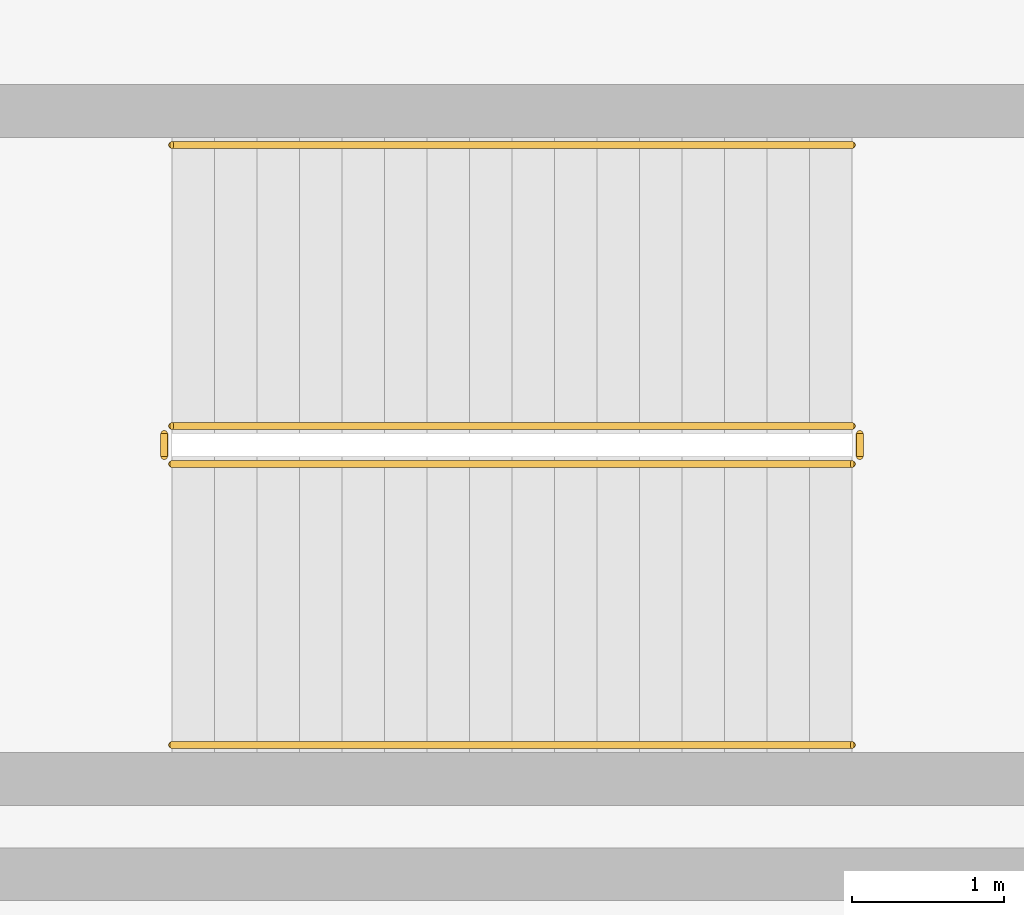
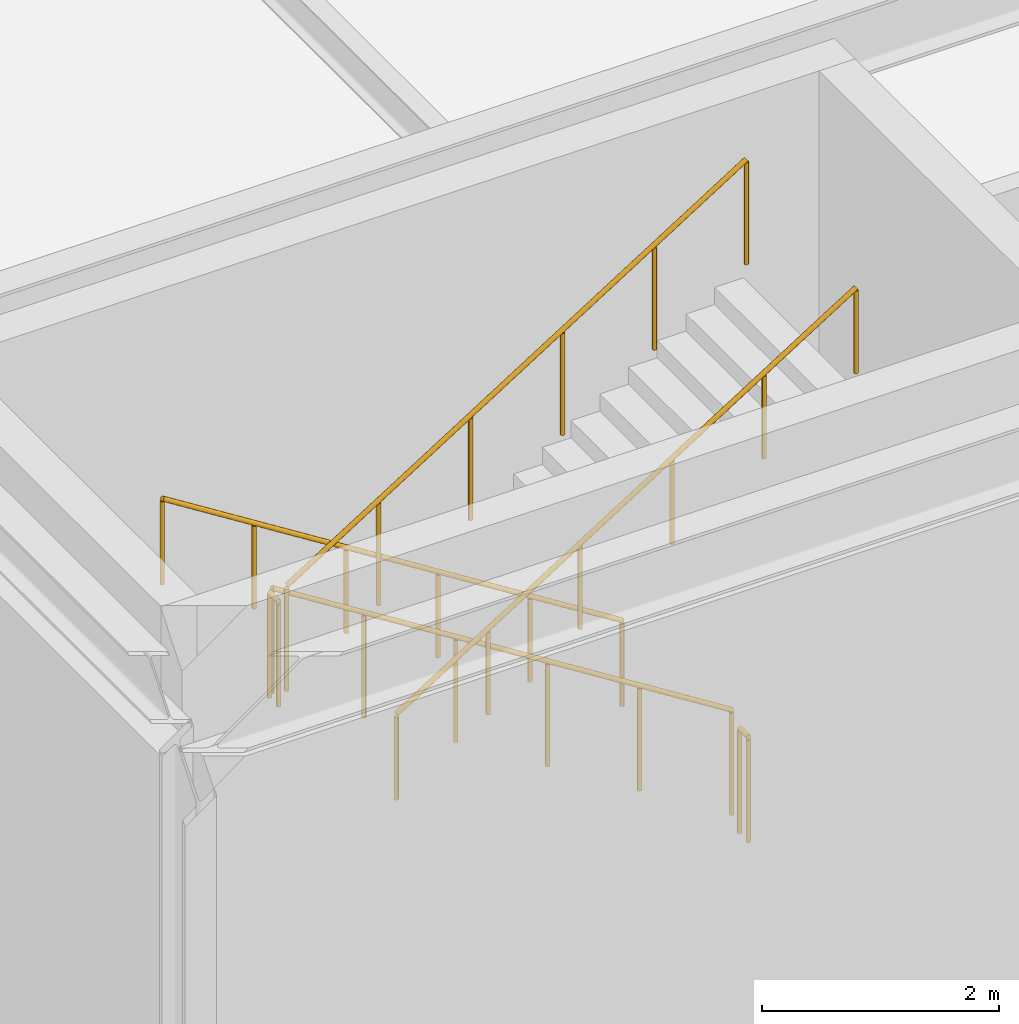
# One storey, part 134 of 146: 6 railings.
"""IFC4 building model written with IfcOpenShell, lengths in metres."""

from ifc_helpers import new_model, si_unit, direction, frame, origin, origin_2d, place, context, subcontext, project, spatial, circle, extrude, material, type_object, element, save


model = new_model("IFC4")

# Units and contexts
model_context = context("Model", 3, precision=1e-05, world=origin(), true_north=direction((0.0, 1.0)))
body_context = subcontext(model_context, "Body", "Model", "MODEL_VIEW")
ifc_project = project(units=[si_unit("LENGTHUNIT", "METRE"), si_unit("AREAUNIT", "SQUARE_METRE"), si_unit("VOLUMEUNIT", "CUBIC_METRE"), si_unit("PLANEANGLEUNIT", "RADIAN"), si_unit("MASSUNIT", "GRAM", prefix="KILO")], contexts=[model_context])

# Site, building, storey
site_placement = place(None, origin())
site = spatial("IfcSite", under=ifc_project, at=site_placement, CompositionType="ELEMENT")
building_placement = place(site_placement, origin())
building = spatial("IfcBuilding", under=site, at=building_placement, Name="Kaldris Quays Convention Centre", CompositionType="ELEMENT")
storey_placement = place(building_placement, origin())
storey = spatial("IfcBuildingStorey", under=building, at=storey_placement, Name="L00", CompositionType="ELEMENT", Elevation=0.0)

# Railings
ifc_material_1 = material(Name="Steel S355J2", Category="steel")
railing_type_1 = type_object("IfcRailingType", Name="INTERIOR GUARDRAIL GR01", PredefinedType="GUARDRAIL", material=ifc_material_1)
railing_1_placement = place(storey_placement, frame((27.0, 58.949951171875, 0.176513671875)))
element("IfcRailing", 1, at=railing_1_placement, inside=storey, type_object=railing_type_1, Name="L00 ST01 Stair Guardrail 1", PredefinedType="GUARDRAIL", context=body_context, shape_type="SweptSolid", body=[
    extrude(circle(Radius=0.02392578125, at=origin_2d()), frame((0.0, 0.0, 1.076171875), z_axis=(-0.845997938375, 0.0, 0.533186166611), x_axis=(0.0, -1.0, 0.0)), (0.0, 0.0, 1.0), 5.29541015625),
    extrude(circle(Radius=0.02099609375, at=origin_2d()), origin(), (0.0, 0.0, 1.0), 1.052001953125),
    extrude(circle(Radius=0.02099609375, at=origin_2d()), frame((-0.89599609375, 0.0, 0.564697265625)), (0.0, 0.0, 1.0), 1.052001953125),
    extrude(circle(Radius=0.02099609375, at=origin_2d()), frame((-1.7919921875, 0.0, 1.12939453125)), (0.0, 0.0, 1.0), 1.052001953125),
    extrude(circle(Radius=0.02099609375, at=origin_2d()), frame((-2.68798828125, 0.0, 1.694091796875)), (0.0, 0.0, 1.0), 1.052001953125),
    extrude(circle(Radius=0.02099609375, at=origin_2d()), frame((-3.583984375, 0.0, 2.2587890625)), (0.0, 0.0, 1.0), 1.052001953125),
    extrude(circle(Radius=0.02099609375, at=origin_2d()), frame((-4.47998046875, 0.0, 2.823486328125)), (0.0, 0.0, 1.0), 1.052001953125),
])
railing_2_placement = place(storey_placement, frame((22.469970703125, 58.89990234375, 3.0)))
element("IfcRailing", 2, at=railing_2_placement, inside=storey, type_object=railing_type_1, Name="L00 ST01 Stair Guardrail 2", PredefinedType="GUARDRAIL", context=body_context, shape_type="SweptSolid", body=[
    extrude(circle(Radius=0.02392578125, at=origin_2d()), frame((0.0, 0.0, 1.076171875), z_axis=(0.0, -1.0, 0.0), x_axis=(1.0, 0.0, 0.0)), (0.0, 0.0, 1.0), 0.14990234375),
    extrude(circle(Radius=0.02099609375, at=origin_2d()), origin(), (0.0, 0.0, 1.0), 1.052001953125),
    extrude(circle(Radius=0.02099609375, at=origin_2d()), frame((0.0, -0.14990234375, 0.0)), (0.0, 0.0, 1.0), 1.052001953125),
])
railing_3_placement = place(storey_placement, frame((22.52001953125, 58.699951171875, 3.176513671875)))
element("IfcRailing", 3, at=railing_3_placement, inside=storey, type_object=railing_type_1, Name="L00 ST01 Stair Guardrail 3", PredefinedType="GUARDRAIL", context=body_context, shape_type="SweptSolid", body=[
    extrude(circle(Radius=0.02392578125, at=origin_2d()), frame((0.0, 0.0, 1.076171875), z_axis=(0.845997938375, 0.0, 0.533186166611), x_axis=(0.0, 1.0, 0.0)), (0.0, 0.0, 1.0), 5.29541015625),
    extrude(circle(Radius=0.02099609375, at=origin_2d()), origin(), (0.0, 0.0, 1.0), 1.052001953125),
    extrude(circle(Radius=0.02099609375, at=origin_2d()), frame((0.89599609375, 0.0, 0.564697265625)), (0.0, 0.0, 1.0), 1.052001953125),
    extrude(circle(Radius=0.02099609375, at=origin_2d()), frame((1.7919921875, 0.0, 1.12939453125)), (0.0, 0.0, 1.0), 1.052001953125),
    extrude(circle(Radius=0.02099609375, at=origin_2d()), frame((2.68798828125, 0.0, 1.694091796875)), (0.0, 0.0, 1.0), 1.052001953125),
    extrude(circle(Radius=0.02099609375, at=origin_2d()), frame((3.583984375, 0.0, 2.2587890625)), (0.0, 0.0, 1.0), 1.052001953125),
    extrude(circle(Radius=0.02099609375, at=origin_2d()), frame((4.47998046875, 0.0, 2.823486328125)), (0.0, 0.0, 1.0), 1.052001953125),
])
railing_4_placement = place(storey_placement, frame((27.050048828125, 58.89990234375, 0.0)))
element("IfcRailing", 4, at=railing_4_placement, inside=storey, type_object=railing_type_1, Name="L00 ST01 Stair Guardrail 4", PredefinedType="GUARDRAIL", context=body_context, shape_type="SweptSolid", body=[
    extrude(circle(Radius=0.02392578125, at=origin_2d()), frame((0.0, 0.0, 1.076171875), z_axis=(0.0, -1.0, 0.0), x_axis=(1.0, 0.0, 0.0)), (0.0, 0.0, 1.0), 0.14990234375),
    extrude(circle(Radius=0.02099609375, at=origin_2d()), origin(), (0.0, 0.0, 1.0), 1.052001953125),
    extrude(circle(Radius=0.02099609375, at=origin_2d()), frame((0.0, -0.14990234375, 0.0)), (0.0, 0.0, 1.0), 1.052001953125),
])
ifc_material_2 = material(Name="Stainless steel 1.4301", Category="steel")
railing_type_2 = type_object("IfcRailingType", Name="STAIR HANDRAIL HR01", PredefinedType="HANDRAIL", material=ifc_material_2)
railing_5_placement = place(storey_placement, frame((27.0, 60.800048828125, 0.176513671875)))
element("IfcRailing", 5, at=railing_5_placement, inside=storey, type_object=railing_type_2, Name="L00 ST01 Flight Handrail 1", PredefinedType="HANDRAIL", context=body_context, shape_type="SweptSolid", body=[
    extrude(circle(Radius=0.02392578125, at=origin_2d()), frame((0.0, 0.0, 0.8759765625), z_axis=(-0.845997938375, 0.0, 0.533186166611), x_axis=(0.0, -1.0, 0.0)), (0.0, 0.0, 1.0), 5.29541015625),
    extrude(circle(Radius=0.02099609375, at=origin_2d()), origin(), (0.0, 0.0, 1.0), 0.851806640625),
    extrude(circle(Radius=0.02099609375, at=origin_2d()), frame((-0.89599609375, 0.0, 0.564697265625)), (0.0, 0.0, 1.0), 0.851806640625),
    extrude(circle(Radius=0.02099609375, at=origin_2d()), frame((-1.7919921875, 0.0, 1.12939453125)), (0.0, 0.0, 1.0), 0.851806640625),
    extrude(circle(Radius=0.02099609375, at=origin_2d()), frame((-2.68798828125, 0.0, 1.694091796875)), (0.0, 0.0, 1.0), 0.851806640625),
    extrude(circle(Radius=0.02099609375, at=origin_2d()), frame((-3.583984375, 0.0, 2.2587890625)), (0.0, 0.0, 1.0), 0.851806640625),
    extrude(circle(Radius=0.02099609375, at=origin_2d()), frame((-4.47998046875, 0.0, 2.823486328125)), (0.0, 0.0, 1.0), 0.851806640625),
])
railing_6_placement = place(storey_placement, frame((22.52001953125, 56.85009765625, 3.176513671875)))
element("IfcRailing", 6, at=railing_6_placement, inside=storey, type_object=railing_type_2, Name="L00 ST01 Flight Handrail 2", PredefinedType="HANDRAIL", context=body_context, shape_type="SweptSolid", body=[
    extrude(circle(Radius=0.02392578125, at=origin_2d()), frame((0.0, 0.0, 0.8759765625), z_axis=(0.845997938375, 0.0, 0.533186166611), x_axis=(0.0, 1.0, 0.0)), (0.0, 0.0, 1.0), 5.29541015625),
    extrude(circle(Radius=0.02099609375, at=origin_2d()), origin(), (0.0, 0.0, 1.0), 0.851806640625),
    extrude(circle(Radius=0.02099609375, at=origin_2d()), frame((0.89599609375, 0.0, 0.564697265625)), (0.0, 0.0, 1.0), 0.851806640625),
    extrude(circle(Radius=0.02099609375, at=origin_2d()), frame((1.7919921875, 0.0, 1.12939453125)), (0.0, 0.0, 1.0), 0.851806640625),
    extrude(circle(Radius=0.02099609375, at=origin_2d()), frame((2.68798828125, 0.0, 1.694091796875)), (0.0, 0.0, 1.0), 0.851806640625),
    extrude(circle(Radius=0.02099609375, at=origin_2d()), frame((3.583984375, 0.0, 2.2587890625)), (0.0, 0.0, 1.0), 0.851806640625),
    extrude(circle(Radius=0.02099609375, at=origin_2d()), frame((4.47998046875, 0.0, 2.823486328125)), (0.0, 0.0, 1.0), 0.851806640625),
])

save(model, "model.ifc")
